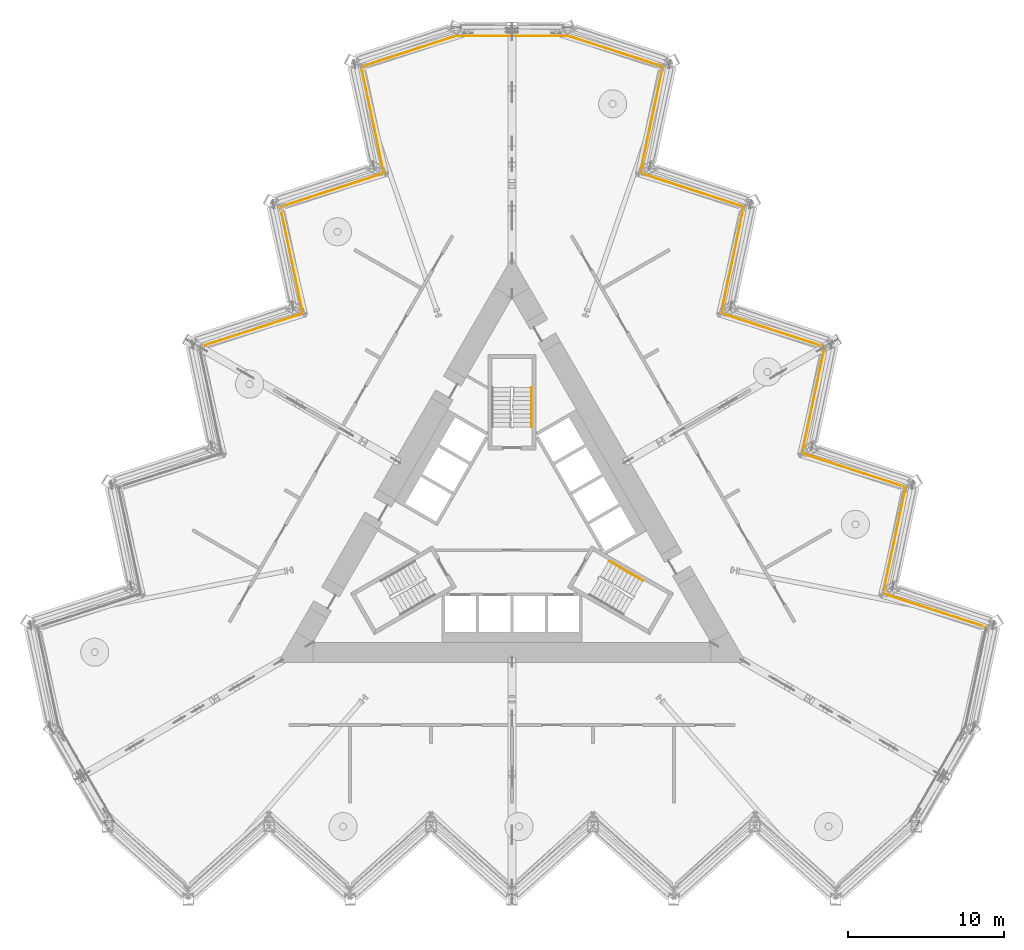
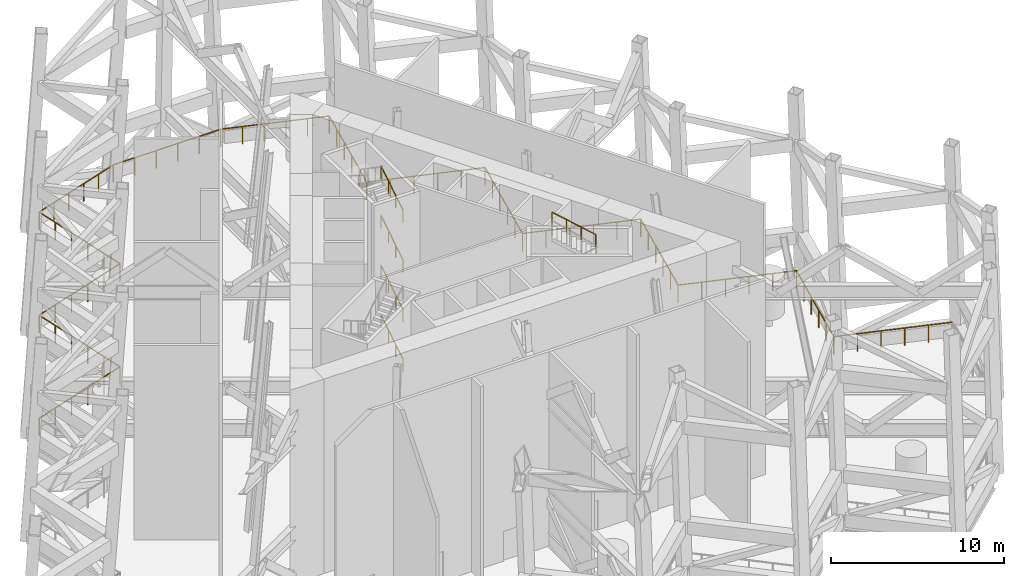
# One storey, part 18 of 19: 20 railings.
"""IFC4 building model written with IfcOpenShell, lengths in metres."""

from ifc_helpers import new_model, si_unit, direction, frame, origin, origin_2d, place, context, subcontext, project, spatial, circle, extrude, material, type_object, element, save


model = new_model("IFC4")

# Units and contexts
model_context = context("Model", 3, precision=1e-05, world=origin(), true_north=direction((0.0, 1.0)))
body_context = subcontext(model_context, "Body", "Model", "MODEL_VIEW")
ifc_project = project(units=[si_unit("LENGTHUNIT", "METRE"), si_unit("AREAUNIT", "SQUARE_METRE"), si_unit("VOLUMEUNIT", "CUBIC_METRE"), si_unit("PLANEANGLEUNIT", "RADIAN"), si_unit("MASSUNIT", "GRAM", prefix="KILO")], contexts=[model_context])

# Site, building, storey
site_placement = place(None, origin())
site = spatial("IfcSite", under=ifc_project, at=site_placement, CompositionType="ELEMENT")
building_placement = place(site_placement, origin())
building = spatial("IfcBuilding", under=site, at=building_placement, Name="Cormorant Prow Tower", CompositionType="ELEMENT")
storey_placement = place(building_placement, frame((0.0, 0.0, 287.800048828125)))
storey = spatial("IfcBuildingStorey", under=building, at=storey_placement, Name="L64", CompositionType="ELEMENT", Elevation=287.800048828125)

# Railings
ifc_material_1 = material(Name="Stainless steel", Category="steel")
railing_type_1 = type_object("IfcRailingType", Name="Stair handrail 900", PredefinedType="HANDRAIL", material=ifc_material_1)
railing_1_placement = place(storey_placement, frame((8.395263671875, -3.41064453125, 12.425048828125)))
element("IfcRailing", 1, at=railing_1_placement, inside=storey, type_object=railing_type_1, Name="L64 ST2 stair handrail 8", PredefinedType="HANDRAIL", context=body_context, shape_type="SweptSolid", body=[
    extrude(circle(Radius=0.02392578125, at=origin_2d()), frame((0.0, 0.0, 0.8759765625), z_axis=(-0.73439174503, 0.42400668935, 0.529987822708), x_axis=(-0.500004791531, -0.866022637375, 0.0)), (0.0, 0.0, 1.0), 2.9716796875),
    extrude(circle(Radius=0.02099609375, at=origin_2d()), origin(), (0.0, 0.0, 1.0), 0.851806640625),
    extrude(circle(Radius=0.02099609375, at=origin_2d()), frame((-0.7275390625, 0.419921875, 0.52490234375)), (0.0, 0.0, 1.0), 0.851806640625),
    extrude(circle(Radius=0.02099609375, at=origin_2d()), frame((-1.454833984375, 0.840087890625, 1.050048828125)), (0.0, 0.0, 1.0), 0.851806640625),
    extrude(circle(Radius=0.02099609375, at=origin_2d()), frame((-2.182373046875, 1.260009765625, 1.574951171875)), (0.0, 0.0, 1.0), 0.851806640625),
])
for number, where, name in (
    (2, (1.243896484375, 6.455810546875, 0.175048828125), "L64 ST3 stair handrail 1"),
    (3, (1.243896484375, 6.455810546875, 3.675048828125), "L64 ST3 stair handrail 3"),
    (4, (1.243896484375, 6.455810546875, 7.175048828125), "L64 ST3 stair handrail 5"),
    (5, (1.243896484375, 6.455810546875, 10.675048828125), "L64 ST3 stair handrail 7"),
):
    element("IfcRailing", number, at=place(storey_placement, frame(where)), inside=storey, type_object=railing_type_1, Name=name, PredefinedType="HANDRAIL", context=body_context, shape_type="SweptSolid", body=[
        extrude(circle(Radius=0.02392578125, at=origin_2d()), frame((0.0, 0.0, 0.8759765625), z_axis=(0.0, 0.848007534815, 0.529984170421), x_axis=(-1.0, 0.0, 0.0)), (0.0, 0.0, 1.0), 2.9716796875),
        extrude(circle(Radius=0.02099609375, at=origin_2d()), origin(), (0.0, 0.0, 1.0), 0.851806640625),
        extrude(circle(Radius=0.02099609375, at=origin_2d()), frame((0.0, 0.840087890625, 0.52490234375)), (0.0, 0.0, 1.0), 0.851806640625),
        extrude(circle(Radius=0.02099609375, at=origin_2d()), frame((0.0, 1.679931640625, 1.050048828125)), (0.0, 0.0, 1.0), 0.851806640625),
        extrude(circle(Radius=0.02099609375, at=origin_2d()), frame((0.0, 2.52001953125, 1.574951171875)), (0.0, 0.0, 1.0), 0.851806640625),
    ])
ifc_material_2 = material(Name="Aluminium 6063-T6", Category="aluminium")
railing_type_2 = type_object("IfcRailingType", Name="Wind deck guard 1250", PredefinedType="GUARDRAIL", material=ifc_material_2)
railing_2_placement = place(storey_placement, frame((-20.045654296875, 11.573486328125, 0.0)))
element("IfcRailing", 6, at=railing_2_placement, inside=storey, type_object=railing_type_2, Name="Wind deck edge guard 08", PredefinedType="GUARDRAIL", context=body_context, shape_type="SweptSolid", body=[
    extrude(circle(Radius=0.02392578125, at=origin_2d()), frame((0.0, 0.0, 1.22607421875), z_axis=(0.951061820009, 0.309000670746, 0.0), x_axis=(-0.309000670746, 0.951061820009, 0.0)), (0.0, 0.0, 1.0), 6.981201171875),
    extrude(circle(Radius=0.02099609375, at=origin_2d()), origin(), (0.0, 0.0, 1.0), 1.201904296875),
    extrude(circle(Radius=0.02099609375, at=origin_2d()), frame((1.327880859375, 0.431396484375, 0.0)), (0.0, 0.0, 1.0), 1.201904296875),
    extrude(circle(Radius=0.02099609375, at=origin_2d()), frame((2.65576171875, 0.86279296875, 0.0)), (0.0, 0.0, 1.0), 1.201904296875),
    extrude(circle(Radius=0.02099609375, at=origin_2d()), frame((3.98388671875, 1.29443359375, 0.0)), (0.0, 0.0, 1.0), 1.201904296875),
    extrude(circle(Radius=0.02099609375, at=origin_2d()), frame((5.311767578125, 1.725830078125, 0.0)), (0.0, 0.0, 1.0), 1.201904296875),
])
railing_3_placement = place(storey_placement, frame((-13.406005859375, 13.730712890625, 0.0)))
element("IfcRailing", 7, at=railing_3_placement, inside=storey, type_object=railing_type_2, Name="Wind deck edge guard 09", PredefinedType="GUARDRAIL", context=body_context, shape_type="SweptSolid", body=[
    extrude(circle(Radius=0.02392578125, at=origin_2d()), frame((0.0, 0.0, 1.22607421875), z_axis=(-0.207890540933, 0.978152096042, 0.0), x_axis=(-0.978152096042, -0.207890540933, 0.0)), (0.0, 0.0, 1.0), 6.981689453125),
    extrude(circle(Radius=0.02099609375, at=origin_2d()), origin(), (0.0, 0.0, 1.0), 1.201904296875),
    extrude(circle(Radius=0.02099609375, at=origin_2d()), frame((-0.290283203125, 1.36572265625, 0.0)), (0.0, 0.0, 1.0), 1.201904296875),
    extrude(circle(Radius=0.02099609375, at=origin_2d()), frame((-0.58056640625, 2.731689453125, 0.0)), (0.0, 0.0, 1.0), 1.201904296875),
    extrude(circle(Radius=0.02099609375, at=origin_2d()), frame((-0.870849609375, 4.097412109375, 0.0)), (0.0, 0.0, 1.0), 1.201904296875),
    extrude(circle(Radius=0.02099609375, at=origin_2d()), frame((-1.1611328125, 5.46337890625, 0.0)), (0.0, 0.0, 1.0), 1.201904296875),
])
railing_4_placement = place(storey_placement, frame((-14.857421875, 20.559814453125, 0.0)))
element("IfcRailing", 8, at=railing_4_placement, inside=storey, type_object=railing_type_2, Name="Wind deck edge guard 10", PredefinedType="GUARDRAIL", context=body_context, shape_type="SweptSolid", body=[
    extrude(circle(Radius=0.02392578125, at=origin_2d()), frame((0.0, 0.0, 1.22607421875), z_axis=(0.951061820009, 0.309000670746, 0.0), x_axis=(-0.309000670746, 0.951061820009, 0.0)), (0.0, 0.0, 1.0), 6.981201171875),
    extrude(circle(Radius=0.02099609375, at=origin_2d()), origin(), (0.0, 0.0, 1.0), 1.201904296875),
    extrude(circle(Radius=0.02099609375, at=origin_2d()), frame((1.327880859375, 0.431396484375, 0.0)), (0.0, 0.0, 1.0), 1.201904296875),
    extrude(circle(Radius=0.02099609375, at=origin_2d()), frame((2.65576171875, 0.86279296875, 0.0)), (0.0, 0.0, 1.0), 1.201904296875),
    extrude(circle(Radius=0.02099609375, at=origin_2d()), frame((3.98388671875, 1.29443359375, 0.0)), (0.0, 0.0, 1.0), 1.201904296875),
    extrude(circle(Radius=0.02099609375, at=origin_2d()), frame((5.311767578125, 1.725830078125, 0.0)), (0.0, 0.0, 1.0), 1.201904296875),
])
railing_5_placement = place(storey_placement, frame((-8.2177734375, 22.717041015625, 0.0)))
element("IfcRailing", 9, at=railing_5_placement, inside=storey, type_object=railing_type_2, Name="Wind deck edge guard 11", PredefinedType="GUARDRAIL", context=body_context, shape_type="SweptSolid", body=[
    extrude(circle(Radius=0.02392578125, at=origin_2d()), frame((0.0, 0.0, 1.22607421875), z_axis=(-0.207897652061, 0.978150584658, 0.0), x_axis=(-0.978150584658, -0.207897652061, 0.0)), (0.0, 0.0, 1.0), 6.9814453125),
    extrude(circle(Radius=0.02099609375, at=origin_2d()), origin(), (0.0, 0.0, 1.0), 1.201904296875),
    extrude(circle(Radius=0.02099609375, at=origin_2d()), frame((-0.290283203125, 1.36572265625, 0.0)), (0.0, 0.0, 1.0), 1.201904296875),
    extrude(circle(Radius=0.02099609375, at=origin_2d()), frame((-0.58056640625, 2.7314453125, 0.0)), (0.0, 0.0, 1.0), 1.201904296875),
    extrude(circle(Radius=0.02099609375, at=origin_2d()), frame((-0.870849609375, 4.097412109375, 0.0)), (0.0, 0.0, 1.0), 1.201904296875),
    extrude(circle(Radius=0.02099609375, at=origin_2d()), frame((-1.1611328125, 5.463134765625, 0.0)), (0.0, 0.0, 1.0), 1.201904296875),
])
railing_6_placement = place(storey_placement, frame((-9.669189453125, 29.5458984375, 0.0)))
element("IfcRailing", 10, at=railing_6_placement, inside=storey, type_object=railing_type_2, Name="Wind deck edge guard 12", PredefinedType="GUARDRAIL", context=body_context, shape_type="SweptSolid", body=[
    extrude(circle(Radius=0.02392578125, at=origin_2d()), frame((0.0, 0.0, 1.22607421875), z_axis=(0.951052010842, 0.309030860391, 0.0), x_axis=(-0.309030860391, 0.951052010842, 0.0)), (0.0, 0.0, 1.0), 6.399169921875),
    extrude(circle(Radius=0.02099609375, at=origin_2d()), origin(), (0.0, 0.0, 1.0), 1.201904296875),
    extrude(circle(Radius=0.02099609375, at=origin_2d()), frame((1.21728515625, 0.3955078125, 0.0)), (0.0, 0.0, 1.0), 1.201904296875),
    extrude(circle(Radius=0.02099609375, at=origin_2d()), frame((2.434326171875, 0.791015625, 0.0)), (0.0, 0.0, 1.0), 1.201904296875),
    extrude(circle(Radius=0.02099609375, at=origin_2d()), frame((3.651611328125, 1.1865234375, 0.0)), (0.0, 0.0, 1.0), 1.201904296875),
    extrude(circle(Radius=0.02099609375, at=origin_2d()), frame((4.86865234375, 1.58203125, 0.0)), (0.0, 0.0, 1.0), 1.201904296875),
])
railing_7_placement = place(storey_placement, frame((-3.583251953125, 31.5234375, 0.0)))
element("IfcRailing", 11, at=railing_7_placement, inside=storey, type_object=railing_type_2, Name="Wind deck edge guard 13", PredefinedType="GUARDRAIL", context=body_context, shape_type="SweptSolid", body=[
    extrude(circle(Radius=0.02392578125, at=origin_2d()), frame((0.0, 0.0, 1.22607421875), z_axis=(1.0, 0.0, 0.0), x_axis=(0.0, 1.0, 0.0)), (0.0, 0.0, 1.0), 7.16650390625),
    extrude(circle(Radius=0.02099609375, at=origin_2d()), origin(), (0.0, 0.0, 1.0), 1.201904296875),
    extrude(circle(Radius=0.02099609375, at=origin_2d()), frame((1.433349609375, 0.0, 0.0)), (0.0, 0.0, 1.0), 1.201904296875),
    extrude(circle(Radius=0.02099609375, at=origin_2d()), frame((2.86669921875, 0.0, 0.0)), (0.0, 0.0, 1.0), 1.201904296875),
    extrude(circle(Radius=0.02099609375, at=origin_2d()), frame((4.2998046875, 0.0, 0.0)), (0.0, 0.0, 1.0), 1.201904296875),
    extrude(circle(Radius=0.02099609375, at=origin_2d()), frame((5.733154296875, 0.0, 0.0)), (0.0, 0.0, 1.0), 1.201904296875),
])
railing_8_placement = place(storey_placement, frame((3.583251953125, 31.5234375, 0.0)))
element("IfcRailing", 12, at=railing_8_placement, inside=storey, type_object=railing_type_2, Name="Wind deck edge guard 14", PredefinedType="GUARDRAIL", context=body_context, shape_type="SweptSolid", body=[
    extrude(circle(Radius=0.02392578125, at=origin_2d()), frame((0.0, 0.0, 1.22607421875), z_axis=(0.951052010842, -0.309030860391, 0.0), x_axis=(0.309030860391, 0.951052010842, 0.0)), (0.0, 0.0, 1.0), 6.399169921875),
    extrude(circle(Radius=0.02099609375, at=origin_2d()), origin(), (0.0, 0.0, 1.0), 1.201904296875),
    extrude(circle(Radius=0.02099609375, at=origin_2d()), frame((1.21728515625, -0.3955078125, 0.0)), (0.0, 0.0, 1.0), 1.201904296875),
    extrude(circle(Radius=0.02099609375, at=origin_2d()), frame((2.434326171875, -0.791015625, 0.0)), (0.0, 0.0, 1.0), 1.201904296875),
    extrude(circle(Radius=0.02099609375, at=origin_2d()), frame((3.651611328125, -1.1865234375, 0.0)), (0.0, 0.0, 1.0), 1.201904296875),
    extrude(circle(Radius=0.02099609375, at=origin_2d()), frame((4.86865234375, -1.58203125, 0.0)), (0.0, 0.0, 1.0), 1.201904296875),
])
railing_9_placement = place(storey_placement, frame((9.669189453125, 29.5458984375, 0.0)))
element("IfcRailing", 13, at=railing_9_placement, inside=storey, type_object=railing_type_2, Name="Wind deck edge guard 15", PredefinedType="GUARDRAIL", context=body_context, shape_type="SweptSolid", body=[
    extrude(circle(Radius=0.02392578125, at=origin_2d()), frame((0.0, 0.0, 1.22607421875), z_axis=(-0.207897652061, -0.978150584658, 0.0), x_axis=(0.978150584658, -0.207897652061, 0.0)), (0.0, 0.0, 1.0), 6.9814453125),
    extrude(circle(Radius=0.02099609375, at=origin_2d()), origin(), (0.0, 0.0, 1.0), 1.201904296875),
    extrude(circle(Radius=0.02099609375, at=origin_2d()), frame((-0.290283203125, -1.36572265625, 0.0)), (0.0, 0.0, 1.0), 1.201904296875),
    extrude(circle(Radius=0.02099609375, at=origin_2d()), frame((-0.58056640625, -2.7314453125, 0.0)), (0.0, 0.0, 1.0), 1.201904296875),
    extrude(circle(Radius=0.02099609375, at=origin_2d()), frame((-0.870849609375, -4.097412109375, 0.0)), (0.0, 0.0, 1.0), 1.201904296875),
    extrude(circle(Radius=0.02099609375, at=origin_2d()), frame((-1.1611328125, -5.463134765625, 0.0)), (0.0, 0.0, 1.0), 1.201904296875),
])
railing_10_placement = place(storey_placement, frame((8.2177734375, 22.717041015625, 0.0)))
element("IfcRailing", 14, at=railing_10_placement, inside=storey, type_object=railing_type_2, Name="Wind deck edge guard 16", PredefinedType="GUARDRAIL", context=body_context, shape_type="SweptSolid", body=[
    extrude(circle(Radius=0.02392578125, at=origin_2d()), frame((0.0, 0.0, 1.22607421875), z_axis=(0.951061820009, -0.309000670746, 0.0), x_axis=(0.309000670746, 0.951061820009, 0.0)), (0.0, 0.0, 1.0), 6.981201171875),
    extrude(circle(Radius=0.02099609375, at=origin_2d()), origin(), (0.0, 0.0, 1.0), 1.201904296875),
    extrude(circle(Radius=0.02099609375, at=origin_2d()), frame((1.327880859375, -0.431396484375, 0.0)), (0.0, 0.0, 1.0), 1.201904296875),
    extrude(circle(Radius=0.02099609375, at=origin_2d()), frame((2.65576171875, -0.86279296875, 0.0)), (0.0, 0.0, 1.0), 1.201904296875),
    extrude(circle(Radius=0.02099609375, at=origin_2d()), frame((3.98388671875, -1.29443359375, 0.0)), (0.0, 0.0, 1.0), 1.201904296875),
    extrude(circle(Radius=0.02099609375, at=origin_2d()), frame((5.311767578125, -1.725830078125, 0.0)), (0.0, 0.0, 1.0), 1.201904296875),
])
railing_11_placement = place(storey_placement, frame((14.857421875, 20.559814453125, 0.0)))
element("IfcRailing", 15, at=railing_11_placement, inside=storey, type_object=railing_type_2, Name="Wind deck edge guard 17", PredefinedType="GUARDRAIL", context=body_context, shape_type="SweptSolid", body=[
    extrude(circle(Radius=0.02392578125, at=origin_2d()), frame((0.0, 0.0, 1.22607421875), z_axis=(-0.207890540933, -0.978152096042, 0.0), x_axis=(0.978152096042, -0.207890540933, 0.0)), (0.0, 0.0, 1.0), 6.981689453125),
    extrude(circle(Radius=0.02099609375, at=origin_2d()), origin(), (0.0, 0.0, 1.0), 1.201904296875),
    extrude(circle(Radius=0.02099609375, at=origin_2d()), frame((-0.290283203125, -1.36572265625, 0.0)), (0.0, 0.0, 1.0), 1.201904296875),
    extrude(circle(Radius=0.02099609375, at=origin_2d()), frame((-0.58056640625, -2.731689453125, 0.0)), (0.0, 0.0, 1.0), 1.201904296875),
    extrude(circle(Radius=0.02099609375, at=origin_2d()), frame((-0.870849609375, -4.097412109375, 0.0)), (0.0, 0.0, 1.0), 1.201904296875),
    extrude(circle(Radius=0.02099609375, at=origin_2d()), frame((-1.1611328125, -5.46337890625, 0.0)), (0.0, 0.0, 1.0), 1.201904296875),
])
railing_12_placement = place(storey_placement, frame((13.406005859375, 13.730712890625, 0.0)))
element("IfcRailing", 16, at=railing_12_placement, inside=storey, type_object=railing_type_2, Name="Wind deck edge guard 18", PredefinedType="GUARDRAIL", context=body_context, shape_type="SweptSolid", body=[
    extrude(circle(Radius=0.02392578125, at=origin_2d()), frame((0.0, 0.0, 1.22607421875), z_axis=(0.951061820009, -0.309000670746, 0.0), x_axis=(0.309000670746, 0.951061820009, 0.0)), (0.0, 0.0, 1.0), 6.981201171875),
    extrude(circle(Radius=0.02099609375, at=origin_2d()), origin(), (0.0, 0.0, 1.0), 1.201904296875),
    extrude(circle(Radius=0.02099609375, at=origin_2d()), frame((1.327880859375, -0.431396484375, 0.0)), (0.0, 0.0, 1.0), 1.201904296875),
    extrude(circle(Radius=0.02099609375, at=origin_2d()), frame((2.65576171875, -0.86279296875, 0.0)), (0.0, 0.0, 1.0), 1.201904296875),
    extrude(circle(Radius=0.02099609375, at=origin_2d()), frame((3.98388671875, -1.29443359375, 0.0)), (0.0, 0.0, 1.0), 1.201904296875),
    extrude(circle(Radius=0.02099609375, at=origin_2d()), frame((5.311767578125, -1.725830078125, 0.0)), (0.0, 0.0, 1.0), 1.201904296875),
])
railing_13_placement = place(storey_placement, frame((20.045654296875, 11.573486328125, 0.0)))
element("IfcRailing", 17, at=railing_13_placement, inside=storey, type_object=railing_type_2, Name="Wind deck edge guard 19", PredefinedType="GUARDRAIL", context=body_context, shape_type="SweptSolid", body=[
    extrude(circle(Radius=0.02392578125, at=origin_2d()), frame((0.0, 0.0, 1.22607421875), z_axis=(-0.207890540933, -0.978152096042, 0.0), x_axis=(0.978152096042, -0.207890540933, 0.0)), (0.0, 0.0, 1.0), 6.981689453125),
    extrude(circle(Radius=0.02099609375, at=origin_2d()), origin(), (0.0, 0.0, 1.0), 1.201904296875),
    extrude(circle(Radius=0.02099609375, at=origin_2d()), frame((-0.290283203125, -1.36572265625, 0.0)), (0.0, 0.0, 1.0), 1.201904296875),
    extrude(circle(Radius=0.02099609375, at=origin_2d()), frame((-0.58056640625, -2.731689453125, 0.0)), (0.0, 0.0, 1.0), 1.201904296875),
    extrude(circle(Radius=0.02099609375, at=origin_2d()), frame((-0.870849609375, -4.097412109375, 0.0)), (0.0, 0.0, 1.0), 1.201904296875),
    extrude(circle(Radius=0.02099609375, at=origin_2d()), frame((-1.1611328125, -5.46337890625, 0.0)), (0.0, 0.0, 1.0), 1.201904296875),
])
railing_14_placement = place(storey_placement, frame((18.59423828125, 4.744384765625, 0.0)))
element("IfcRailing", 18, at=railing_14_placement, inside=storey, type_object=railing_type_2, Name="Wind deck edge guard 20", PredefinedType="GUARDRAIL", context=body_context, shape_type="SweptSolid", body=[
    extrude(circle(Radius=0.02392578125, at=origin_2d()), frame((0.0, 0.0, 1.22607421875), z_axis=(0.951061820009, -0.309000670746, 0.0), x_axis=(0.309000670746, 0.951061820009, 0.0)), (0.0, 0.0, 1.0), 6.981201171875),
    extrude(circle(Radius=0.02099609375, at=origin_2d()), origin(), (0.0, 0.0, 1.0), 1.201904296875),
    extrude(circle(Radius=0.02099609375, at=origin_2d()), frame((1.327880859375, -0.431396484375, 0.0)), (0.0, 0.0, 1.0), 1.201904296875),
    extrude(circle(Radius=0.02099609375, at=origin_2d()), frame((2.65576171875, -0.86279296875, 0.0)), (0.0, 0.0, 1.0), 1.201904296875),
    extrude(circle(Radius=0.02099609375, at=origin_2d()), frame((3.98388671875, -1.29443359375, 0.0)), (0.0, 0.0, 1.0), 1.201904296875),
    extrude(circle(Radius=0.02099609375, at=origin_2d()), frame((5.311767578125, -1.725830078125, 0.0)), (0.0, 0.0, 1.0), 1.201904296875),
])
railing_15_placement = place(storey_placement, frame((25.23388671875, 2.587158203125, 0.0)))
element("IfcRailing", 19, at=railing_15_placement, inside=storey, type_object=railing_type_2, Name="Wind deck edge guard 21", PredefinedType="GUARDRAIL", context=body_context, shape_type="SweptSolid", body=[
    extrude(circle(Radius=0.02392578125, at=origin_2d()), frame((0.0, 0.0, 1.22607421875), z_axis=(-0.207897652061, -0.978150584658, 0.0), x_axis=(0.978150584658, -0.207897652061, 0.0)), (0.0, 0.0, 1.0), 6.9814453125),
    extrude(circle(Radius=0.02099609375, at=origin_2d()), origin(), (0.0, 0.0, 1.0), 1.201904296875),
    extrude(circle(Radius=0.02099609375, at=origin_2d()), frame((-0.290283203125, -1.36572265625, 0.0)), (0.0, 0.0, 1.0), 1.201904296875),
    extrude(circle(Radius=0.02099609375, at=origin_2d()), frame((-0.58056640625, -2.7314453125, 0.0)), (0.0, 0.0, 1.0), 1.201904296875),
    extrude(circle(Radius=0.02099609375, at=origin_2d()), frame((-0.870849609375, -4.097412109375, 0.0)), (0.0, 0.0, 1.0), 1.201904296875),
    extrude(circle(Radius=0.02099609375, at=origin_2d()), frame((-1.1611328125, -5.463134765625, 0.0)), (0.0, 0.0, 1.0), 1.201904296875),
])
railing_16_placement = place(storey_placement, frame((23.782470703125, -4.24169921875, 0.0)))
element("IfcRailing", 20, at=railing_16_placement, inside=storey, type_object=railing_type_2, Name="Wind deck edge guard 22", PredefinedType="GUARDRAIL", context=body_context, shape_type="SweptSolid", body=[
    extrude(circle(Radius=0.02392578125, at=origin_2d()), frame((0.0, 0.0, 1.22607421875), z_axis=(0.951051542463, -0.309032301837, 0.0), x_axis=(0.309032301837, 0.951051542463, 0.0)), (0.0, 0.0, 1.0), 6.9814453125),
    extrude(circle(Radius=0.02099609375, at=origin_2d()), origin(), (0.0, 0.0, 1.0), 1.201904296875),
    extrude(circle(Radius=0.02099609375, at=origin_2d()), frame((1.327880859375, -0.431396484375, 0.0)), (0.0, 0.0, 1.0), 1.201904296875),
    extrude(circle(Radius=0.02099609375, at=origin_2d()), frame((2.65576171875, -0.863037109375, 0.0)), (0.0, 0.0, 1.0), 1.201904296875),
    extrude(circle(Radius=0.02099609375, at=origin_2d()), frame((3.98388671875, -1.29443359375, 0.0)), (0.0, 0.0, 1.0), 1.201904296875),
    extrude(circle(Radius=0.02099609375, at=origin_2d()), frame((5.311767578125, -1.72607421875, 0.0)), (0.0, 0.0, 1.0), 1.201904296875),
])

save(model, "model.ifc")
